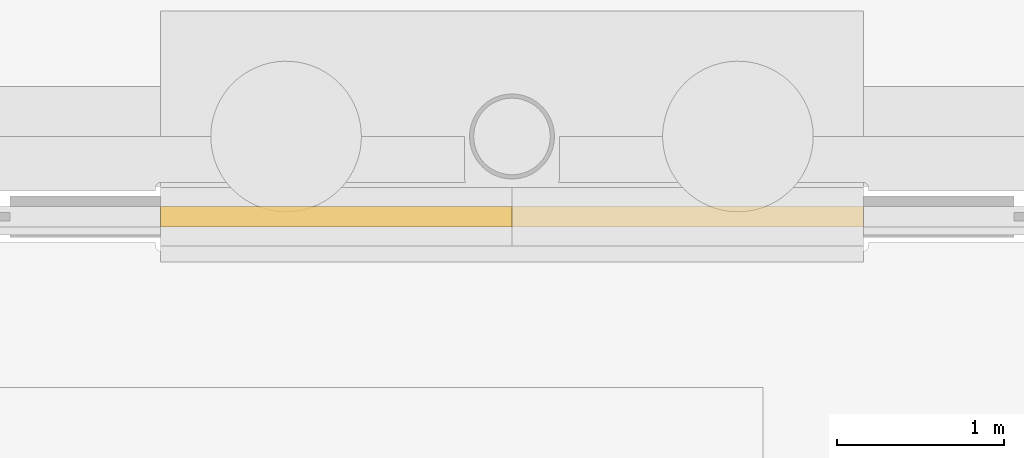
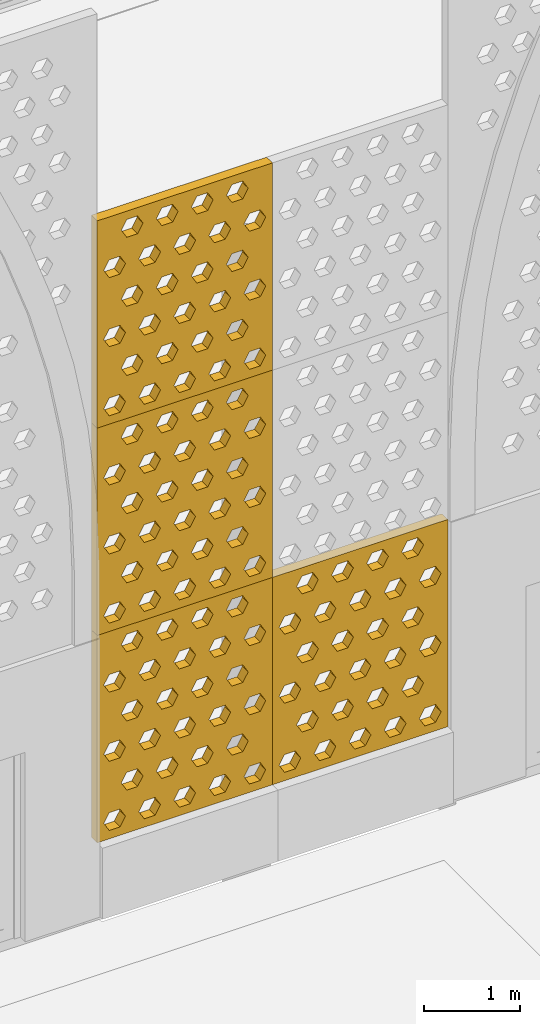
# One storey, part 190 of 250: 4 shading devices.
"""IFC4 building model written with IfcOpenShell, lengths in metres."""

from ifc_helpers import new_model, si_unit, direction, frame, origin, place, context, subcontext, project, spatial, polyline, outline, extrude, material, layer, layer_set, type_object, element, save


model = new_model("IFC4")

# Units and contexts
model_context = context("Model", 3, precision=1e-05, world=origin(), true_north=direction((0.0, 1.0)))
body_context = subcontext(model_context, "Body", "Model", "MODEL_VIEW")
ifc_project = project(units=[si_unit("LENGTHUNIT", "METRE"), si_unit("AREAUNIT", "SQUARE_METRE"), si_unit("VOLUMEUNIT", "CUBIC_METRE"), si_unit("PLANEANGLEUNIT", "RADIAN"), si_unit("MASSUNIT", "GRAM", prefix="KILO")], contexts=[model_context])

# Site, building, storey
site_placement = place(None, origin())
site = spatial("IfcSite", under=ifc_project, at=site_placement, CompositionType="ELEMENT")
building_placement = place(site_placement, origin())
building = spatial("IfcBuilding", under=site, at=building_placement, Name="Baradari Gate Terminus", CompositionType="ELEMENT")
storey_placement = place(building_placement, origin())
storey = spatial("IfcBuildingStorey", under=building, at=storey_placement, Name="L00", CompositionType="ELEMENT", Elevation=0.0)

# Shading devices
ifc_material = material(Name="Concrete C50/60 precast", Category="concrete")
ifc_layer = layer(ifc_material, 0.1201171875)
ifc_layer_set = layer_set([ifc_layer], Name="Concrete C50/60 precast")
shading_device_type = type_object("IfcShadingDeviceType", Name="Jali screen panel JS-2 120", PredefinedType="SHUTTER", material=ifc_layer_set)
shading_device_1_placement = place(storey_placement, frame((168.89990234375, 35.52001953125, 0.89990234375), z_axis=(0.0, 0.0, 1.0), x_axis=(1.0, 0.0, 0.0)))
element("IfcShadingDevice", 1, at=shading_device_1_placement, inside=storey, type_object=shading_device_type, Name="Jali screen panel JS-2 SC01c row 1 panel 1", PredefinedType="SHUTTER", context=body_context, shape_type="SweptSolid", body=[
    extrude(outline(polyline([(0.0, 0.0), (2.10009765625, 0.0), (2.10009765625, 2.625), (0.0, 2.625), (0.0, 0.0)]), holes=[polyline([(0.340087890625, 0.21875), (0.27490234375, 0.106201171875), (0.14501953125, 0.106201171875), (0.080078125, 0.21875), (0.14501953125, 0.33154296875), (0.27490234375, 0.33154296875), (0.340087890625, 0.21875)]), polyline([(0.760009765625, 0.21875), (0.695068359375, 0.106201171875), (0.56494140625, 0.106201171875), (0.5, 0.21875), (0.56494140625, 0.33154296875), (0.695068359375, 0.33154296875), (0.760009765625, 0.21875)]), polyline([(1.179931640625, 0.21875), (1.114990234375, 0.106201171875), (0.985107421875, 0.106201171875), (0.919921875, 0.21875), (0.985107421875, 0.33154296875), (1.114990234375, 0.33154296875), (1.179931640625, 0.21875)]), polyline([(1.60009765625, 0.21875), (1.534912109375, 0.106201171875), (1.405029296875, 0.106201171875), (1.340087890625, 0.21875), (1.405029296875, 0.33154296875), (1.534912109375, 0.33154296875), (1.60009765625, 0.21875)]), polyline([(2.02001953125, 0.21875), (1.955078125, 0.106201171875), (1.824951171875, 0.106201171875), (1.760009765625, 0.21875), (1.824951171875, 0.33154296875), (1.955078125, 0.33154296875), (2.02001953125, 0.21875)]), polyline([(0.550048828125, 0.65625), (0.485107421875, 0.543701171875), (0.35498046875, 0.543701171875), (0.2900390625, 0.65625), (0.35498046875, 0.76904296875), (0.485107421875, 0.76904296875), (0.550048828125, 0.65625)]), polyline([(0.969970703125, 0.65625), (0.905029296875, 0.543701171875), (0.77490234375, 0.543701171875), (0.7099609375, 0.65625), (0.77490234375, 0.76904296875), (0.905029296875, 0.76904296875), (0.969970703125, 0.65625)]), polyline([(1.389892578125, 0.65625), (1.324951171875, 0.543701171875), (1.195068359375, 0.543701171875), (1.1298828125, 0.65625), (1.195068359375, 0.76904296875), (1.324951171875, 0.76904296875), (1.389892578125, 0.65625)]), polyline([(1.81005859375, 0.65625), (1.7451171875, 0.543701171875), (1.614990234375, 0.543701171875), (1.550048828125, 0.65625), (1.614990234375, 0.76904296875), (1.7451171875, 0.76904296875), (1.81005859375, 0.65625)]), polyline([(0.340087890625, 1.09375), (0.27490234375, 0.981201171875), (0.14501953125, 0.981201171875), (0.080078125, 1.09375), (0.14501953125, 1.20654296875), (0.27490234375, 1.20654296875), (0.340087890625, 1.09375)]), polyline([(0.760009765625, 1.09375), (0.695068359375, 0.981201171875), (0.56494140625, 0.981201171875), (0.5, 1.09375), (0.56494140625, 1.20654296875), (0.695068359375, 1.20654296875), (0.760009765625, 1.09375)]), polyline([(1.179931640625, 1.09375), (1.114990234375, 0.981201171875), (0.985107421875, 0.981201171875), (0.919921875, 1.09375), (0.985107421875, 1.20654296875), (1.114990234375, 1.20654296875), (1.179931640625, 1.09375)]), polyline([(1.60009765625, 1.09375), (1.534912109375, 0.981201171875), (1.405029296875, 0.981201171875), (1.340087890625, 1.09375), (1.405029296875, 1.20654296875), (1.534912109375, 1.20654296875), (1.60009765625, 1.09375)]), polyline([(2.02001953125, 1.09375), (1.955078125, 0.981201171875), (1.824951171875, 0.981201171875), (1.760009765625, 1.09375), (1.824951171875, 1.20654296875), (1.955078125, 1.20654296875), (2.02001953125, 1.09375)]), polyline([(0.550048828125, 1.53125), (0.485107421875, 1.418701171875), (0.35498046875, 1.418701171875), (0.2900390625, 1.53125), (0.35498046875, 1.64404296875), (0.485107421875, 1.64404296875), (0.550048828125, 1.53125)]), polyline([(0.969970703125, 1.53125), (0.905029296875, 1.418701171875), (0.77490234375, 1.418701171875), (0.7099609375, 1.53125), (0.77490234375, 1.64404296875), (0.905029296875, 1.64404296875), (0.969970703125, 1.53125)]), polyline([(1.389892578125, 1.53125), (1.324951171875, 1.418701171875), (1.195068359375, 1.418701171875), (1.1298828125, 1.53125), (1.195068359375, 1.64404296875), (1.324951171875, 1.64404296875), (1.389892578125, 1.53125)]), polyline([(1.81005859375, 1.53125), (1.7451171875, 1.418701171875), (1.614990234375, 1.418701171875), (1.550048828125, 1.53125), (1.614990234375, 1.64404296875), (1.7451171875, 1.64404296875), (1.81005859375, 1.53125)]), polyline([(0.340087890625, 1.96875), (0.27490234375, 1.856201171875), (0.14501953125, 1.856201171875), (0.080078125, 1.96875), (0.14501953125, 2.08154296875), (0.27490234375, 2.08154296875), (0.340087890625, 1.96875)]), polyline([(0.760009765625, 1.96875), (0.695068359375, 1.856201171875), (0.56494140625, 1.856201171875), (0.5, 1.96875), (0.56494140625, 2.08154296875), (0.695068359375, 2.08154296875), (0.760009765625, 1.96875)]), polyline([(1.179931640625, 1.96875), (1.114990234375, 1.856201171875), (0.985107421875, 1.856201171875), (0.919921875, 1.96875), (0.985107421875, 2.08154296875), (1.114990234375, 2.08154296875), (1.179931640625, 1.96875)]), polyline([(1.60009765625, 1.96875), (1.534912109375, 1.856201171875), (1.405029296875, 1.856201171875), (1.340087890625, 1.96875), (1.405029296875, 2.08154296875), (1.534912109375, 2.08154296875), (1.60009765625, 1.96875)]), polyline([(2.02001953125, 1.96875), (1.955078125, 1.856201171875), (1.824951171875, 1.856201171875), (1.760009765625, 1.96875), (1.824951171875, 2.08154296875), (1.955078125, 2.08154296875), (2.02001953125, 1.96875)]), polyline([(0.550048828125, 2.40625), (0.485107421875, 2.293701171875), (0.35498046875, 2.293701171875), (0.2900390625, 2.40625), (0.35498046875, 2.51904296875), (0.485107421875, 2.51904296875), (0.550048828125, 2.40625)]), polyline([(0.969970703125, 2.40625), (0.905029296875, 2.293701171875), (0.77490234375, 2.293701171875), (0.7099609375, 2.40625), (0.77490234375, 2.51904296875), (0.905029296875, 2.51904296875), (0.969970703125, 2.40625)]), polyline([(1.389892578125, 2.40625), (1.324951171875, 2.293701171875), (1.195068359375, 2.293701171875), (1.1298828125, 2.40625), (1.195068359375, 2.51904296875), (1.324951171875, 2.51904296875), (1.389892578125, 2.40625)]), polyline([(1.81005859375, 2.40625), (1.7451171875, 2.293701171875), (1.614990234375, 2.293701171875), (1.550048828125, 2.40625), (1.614990234375, 2.51904296875), (1.7451171875, 2.51904296875), (1.81005859375, 2.40625)])]), frame((0.0, 0.06005859375, 0.0), z_axis=(0.0, -1.0, 0.0), x_axis=(1.0, 0.0, 0.0)), (0.0, 0.0, 1.0), 0.1201171875),
])
shading_device_2_placement = place(storey_placement, frame((168.89990234375, 35.52001953125, 3.52490234375), z_axis=(0.0, 0.0, 1.0), x_axis=(1.0, 0.0, 0.0)))
element("IfcShadingDevice", 2, at=shading_device_2_placement, inside=storey, type_object=shading_device_type, Name="Jali screen panel JS-2 SC01c row 2 panel 1", PredefinedType="SHUTTER", context=body_context, shape_type="SweptSolid", body=[
    extrude(outline(polyline([(0.0, 0.0), (2.10009765625, 0.0), (2.10009765625, 2.625), (0.0, 2.625), (0.0, 0.0)]), holes=[polyline([(0.340087890625, 0.21875), (0.27490234375, 0.106201171875), (0.14501953125, 0.106201171875), (0.080078125, 0.21875), (0.14501953125, 0.33154296875), (0.27490234375, 0.33154296875), (0.340087890625, 0.21875)]), polyline([(0.760009765625, 0.21875), (0.695068359375, 0.106201171875), (0.56494140625, 0.106201171875), (0.5, 0.21875), (0.56494140625, 0.33154296875), (0.695068359375, 0.33154296875), (0.760009765625, 0.21875)]), polyline([(1.179931640625, 0.21875), (1.114990234375, 0.106201171875), (0.985107421875, 0.106201171875), (0.919921875, 0.21875), (0.985107421875, 0.33154296875), (1.114990234375, 0.33154296875), (1.179931640625, 0.21875)]), polyline([(1.60009765625, 0.21875), (1.534912109375, 0.106201171875), (1.405029296875, 0.106201171875), (1.340087890625, 0.21875), (1.405029296875, 0.33154296875), (1.534912109375, 0.33154296875), (1.60009765625, 0.21875)]), polyline([(2.02001953125, 0.21875), (1.955078125, 0.106201171875), (1.824951171875, 0.106201171875), (1.760009765625, 0.21875), (1.824951171875, 0.33154296875), (1.955078125, 0.33154296875), (2.02001953125, 0.21875)]), polyline([(0.550048828125, 0.65625), (0.485107421875, 0.543701171875), (0.35498046875, 0.543701171875), (0.2900390625, 0.65625), (0.35498046875, 0.76904296875), (0.485107421875, 0.76904296875), (0.550048828125, 0.65625)]), polyline([(0.969970703125, 0.65625), (0.905029296875, 0.543701171875), (0.77490234375, 0.543701171875), (0.7099609375, 0.65625), (0.77490234375, 0.76904296875), (0.905029296875, 0.76904296875), (0.969970703125, 0.65625)]), polyline([(1.389892578125, 0.65625), (1.324951171875, 0.543701171875), (1.195068359375, 0.543701171875), (1.1298828125, 0.65625), (1.195068359375, 0.76904296875), (1.324951171875, 0.76904296875), (1.389892578125, 0.65625)]), polyline([(1.81005859375, 0.65625), (1.7451171875, 0.543701171875), (1.614990234375, 0.543701171875), (1.550048828125, 0.65625), (1.614990234375, 0.76904296875), (1.7451171875, 0.76904296875), (1.81005859375, 0.65625)]), polyline([(0.340087890625, 1.09375), (0.27490234375, 0.981201171875), (0.14501953125, 0.981201171875), (0.080078125, 1.09375), (0.14501953125, 1.20654296875), (0.27490234375, 1.20654296875), (0.340087890625, 1.09375)]), polyline([(0.760009765625, 1.09375), (0.695068359375, 0.981201171875), (0.56494140625, 0.981201171875), (0.5, 1.09375), (0.56494140625, 1.20654296875), (0.695068359375, 1.20654296875), (0.760009765625, 1.09375)]), polyline([(1.179931640625, 1.09375), (1.114990234375, 0.981201171875), (0.985107421875, 0.981201171875), (0.919921875, 1.09375), (0.985107421875, 1.20654296875), (1.114990234375, 1.20654296875), (1.179931640625, 1.09375)]), polyline([(1.60009765625, 1.09375), (1.534912109375, 0.981201171875), (1.405029296875, 0.981201171875), (1.340087890625, 1.09375), (1.405029296875, 1.20654296875), (1.534912109375, 1.20654296875), (1.60009765625, 1.09375)]), polyline([(2.02001953125, 1.09375), (1.955078125, 0.981201171875), (1.824951171875, 0.981201171875), (1.760009765625, 1.09375), (1.824951171875, 1.20654296875), (1.955078125, 1.20654296875), (2.02001953125, 1.09375)]), polyline([(0.550048828125, 1.53125), (0.485107421875, 1.418701171875), (0.35498046875, 1.418701171875), (0.2900390625, 1.53125), (0.35498046875, 1.64404296875), (0.485107421875, 1.64404296875), (0.550048828125, 1.53125)]), polyline([(0.969970703125, 1.53125), (0.905029296875, 1.418701171875), (0.77490234375, 1.418701171875), (0.7099609375, 1.53125), (0.77490234375, 1.64404296875), (0.905029296875, 1.64404296875), (0.969970703125, 1.53125)]), polyline([(1.389892578125, 1.53125), (1.324951171875, 1.418701171875), (1.195068359375, 1.418701171875), (1.1298828125, 1.53125), (1.195068359375, 1.64404296875), (1.324951171875, 1.64404296875), (1.389892578125, 1.53125)]), polyline([(1.81005859375, 1.53125), (1.7451171875, 1.418701171875), (1.614990234375, 1.418701171875), (1.550048828125, 1.53125), (1.614990234375, 1.64404296875), (1.7451171875, 1.64404296875), (1.81005859375, 1.53125)]), polyline([(0.340087890625, 1.96875), (0.27490234375, 1.856201171875), (0.14501953125, 1.856201171875), (0.080078125, 1.96875), (0.14501953125, 2.08154296875), (0.27490234375, 2.08154296875), (0.340087890625, 1.96875)]), polyline([(0.760009765625, 1.96875), (0.695068359375, 1.856201171875), (0.56494140625, 1.856201171875), (0.5, 1.96875), (0.56494140625, 2.08154296875), (0.695068359375, 2.08154296875), (0.760009765625, 1.96875)]), polyline([(1.179931640625, 1.96875), (1.114990234375, 1.856201171875), (0.985107421875, 1.856201171875), (0.919921875, 1.96875), (0.985107421875, 2.08154296875), (1.114990234375, 2.08154296875), (1.179931640625, 1.96875)]), polyline([(1.60009765625, 1.96875), (1.534912109375, 1.856201171875), (1.405029296875, 1.856201171875), (1.340087890625, 1.96875), (1.405029296875, 2.08154296875), (1.534912109375, 2.08154296875), (1.60009765625, 1.96875)]), polyline([(2.02001953125, 1.96875), (1.955078125, 1.856201171875), (1.824951171875, 1.856201171875), (1.760009765625, 1.96875), (1.824951171875, 2.08154296875), (1.955078125, 2.08154296875), (2.02001953125, 1.96875)]), polyline([(0.550048828125, 2.40625), (0.485107421875, 2.293701171875), (0.35498046875, 2.293701171875), (0.2900390625, 2.40625), (0.35498046875, 2.51904296875), (0.485107421875, 2.51904296875), (0.550048828125, 2.40625)]), polyline([(0.969970703125, 2.40625), (0.905029296875, 2.293701171875), (0.77490234375, 2.293701171875), (0.7099609375, 2.40625), (0.77490234375, 2.51904296875), (0.905029296875, 2.51904296875), (0.969970703125, 2.40625)]), polyline([(1.389892578125, 2.40625), (1.324951171875, 2.293701171875), (1.195068359375, 2.293701171875), (1.1298828125, 2.40625), (1.195068359375, 2.51904296875), (1.324951171875, 2.51904296875), (1.389892578125, 2.40625)]), polyline([(1.81005859375, 2.40625), (1.7451171875, 2.293701171875), (1.614990234375, 2.293701171875), (1.550048828125, 2.40625), (1.614990234375, 2.51904296875), (1.7451171875, 2.51904296875), (1.81005859375, 2.40625)])]), frame((0.0, 0.06005859375, 0.0), z_axis=(0.0, -1.0, 0.0), x_axis=(1.0, 0.0, 0.0)), (0.0, 0.0, 1.0), 0.1201171875),
])
shading_device_3_placement = place(storey_placement, frame((168.89990234375, 35.52001953125, 6.14990234375), z_axis=(0.0, 0.0, 1.0), x_axis=(1.0, 0.0, 0.0)))
element("IfcShadingDevice", 3, at=shading_device_3_placement, inside=storey, type_object=shading_device_type, Name="Jali screen panel JS-2 SC01c row 3 panel 1", PredefinedType="SHUTTER", context=body_context, shape_type="SweptSolid", body=[
    extrude(outline(polyline([(0.0, 0.0), (2.10009765625, 0.0), (2.10009765625, 2.625), (0.0, 2.625), (0.0, 0.0)]), holes=[polyline([(0.340087890625, 0.21875), (0.27490234375, 0.106201171875), (0.14501953125, 0.106201171875), (0.080078125, 0.21875), (0.14501953125, 0.33154296875), (0.27490234375, 0.33154296875), (0.340087890625, 0.21875)]), polyline([(0.760009765625, 0.21875), (0.695068359375, 0.106201171875), (0.56494140625, 0.106201171875), (0.5, 0.21875), (0.56494140625, 0.33154296875), (0.695068359375, 0.33154296875), (0.760009765625, 0.21875)]), polyline([(1.179931640625, 0.21875), (1.114990234375, 0.106201171875), (0.985107421875, 0.106201171875), (0.919921875, 0.21875), (0.985107421875, 0.33154296875), (1.114990234375, 0.33154296875), (1.179931640625, 0.21875)]), polyline([(1.60009765625, 0.21875), (1.534912109375, 0.106201171875), (1.405029296875, 0.106201171875), (1.340087890625, 0.21875), (1.405029296875, 0.33154296875), (1.534912109375, 0.33154296875), (1.60009765625, 0.21875)]), polyline([(2.02001953125, 0.21875), (1.955078125, 0.106201171875), (1.824951171875, 0.106201171875), (1.760009765625, 0.21875), (1.824951171875, 0.33154296875), (1.955078125, 0.33154296875), (2.02001953125, 0.21875)]), polyline([(0.550048828125, 0.65625), (0.485107421875, 0.543701171875), (0.35498046875, 0.543701171875), (0.2900390625, 0.65625), (0.35498046875, 0.76904296875), (0.485107421875, 0.76904296875), (0.550048828125, 0.65625)]), polyline([(0.969970703125, 0.65625), (0.905029296875, 0.543701171875), (0.77490234375, 0.543701171875), (0.7099609375, 0.65625), (0.77490234375, 0.76904296875), (0.905029296875, 0.76904296875), (0.969970703125, 0.65625)]), polyline([(1.389892578125, 0.65625), (1.324951171875, 0.543701171875), (1.195068359375, 0.543701171875), (1.1298828125, 0.65625), (1.195068359375, 0.76904296875), (1.324951171875, 0.76904296875), (1.389892578125, 0.65625)]), polyline([(1.81005859375, 0.65625), (1.7451171875, 0.543701171875), (1.614990234375, 0.543701171875), (1.550048828125, 0.65625), (1.614990234375, 0.76904296875), (1.7451171875, 0.76904296875), (1.81005859375, 0.65625)]), polyline([(0.340087890625, 1.09375), (0.27490234375, 0.981201171875), (0.14501953125, 0.981201171875), (0.080078125, 1.09375), (0.14501953125, 1.20654296875), (0.27490234375, 1.20654296875), (0.340087890625, 1.09375)]), polyline([(0.760009765625, 1.09375), (0.695068359375, 0.981201171875), (0.56494140625, 0.981201171875), (0.5, 1.09375), (0.56494140625, 1.20654296875), (0.695068359375, 1.20654296875), (0.760009765625, 1.09375)]), polyline([(1.179931640625, 1.09375), (1.114990234375, 0.981201171875), (0.985107421875, 0.981201171875), (0.919921875, 1.09375), (0.985107421875, 1.20654296875), (1.114990234375, 1.20654296875), (1.179931640625, 1.09375)]), polyline([(1.60009765625, 1.09375), (1.534912109375, 0.981201171875), (1.405029296875, 0.981201171875), (1.340087890625, 1.09375), (1.405029296875, 1.20654296875), (1.534912109375, 1.20654296875), (1.60009765625, 1.09375)]), polyline([(2.02001953125, 1.09375), (1.955078125, 0.981201171875), (1.824951171875, 0.981201171875), (1.760009765625, 1.09375), (1.824951171875, 1.20654296875), (1.955078125, 1.20654296875), (2.02001953125, 1.09375)]), polyline([(0.550048828125, 1.53125), (0.485107421875, 1.418701171875), (0.35498046875, 1.418701171875), (0.2900390625, 1.53125), (0.35498046875, 1.64404296875), (0.485107421875, 1.64404296875), (0.550048828125, 1.53125)]), polyline([(0.969970703125, 1.53125), (0.905029296875, 1.418701171875), (0.77490234375, 1.418701171875), (0.7099609375, 1.53125), (0.77490234375, 1.64404296875), (0.905029296875, 1.64404296875), (0.969970703125, 1.53125)]), polyline([(1.389892578125, 1.53125), (1.324951171875, 1.418701171875), (1.195068359375, 1.418701171875), (1.1298828125, 1.53125), (1.195068359375, 1.64404296875), (1.324951171875, 1.64404296875), (1.389892578125, 1.53125)]), polyline([(1.81005859375, 1.53125), (1.7451171875, 1.418701171875), (1.614990234375, 1.418701171875), (1.550048828125, 1.53125), (1.614990234375, 1.64404296875), (1.7451171875, 1.64404296875), (1.81005859375, 1.53125)]), polyline([(0.340087890625, 1.96875), (0.27490234375, 1.856201171875), (0.14501953125, 1.856201171875), (0.080078125, 1.96875), (0.14501953125, 2.08154296875), (0.27490234375, 2.08154296875), (0.340087890625, 1.96875)]), polyline([(0.760009765625, 1.96875), (0.695068359375, 1.856201171875), (0.56494140625, 1.856201171875), (0.5, 1.96875), (0.56494140625, 2.08154296875), (0.695068359375, 2.08154296875), (0.760009765625, 1.96875)]), polyline([(1.179931640625, 1.96875), (1.114990234375, 1.856201171875), (0.985107421875, 1.856201171875), (0.919921875, 1.96875), (0.985107421875, 2.08154296875), (1.114990234375, 2.08154296875), (1.179931640625, 1.96875)]), polyline([(1.60009765625, 1.96875), (1.534912109375, 1.856201171875), (1.405029296875, 1.856201171875), (1.340087890625, 1.96875), (1.405029296875, 2.08154296875), (1.534912109375, 2.08154296875), (1.60009765625, 1.96875)]), polyline([(2.02001953125, 1.96875), (1.955078125, 1.856201171875), (1.824951171875, 1.856201171875), (1.760009765625, 1.96875), (1.824951171875, 2.08154296875), (1.955078125, 2.08154296875), (2.02001953125, 1.96875)]), polyline([(0.550048828125, 2.40625), (0.485107421875, 2.293701171875), (0.35498046875, 2.293701171875), (0.2900390625, 2.40625), (0.35498046875, 2.51904296875), (0.485107421875, 2.51904296875), (0.550048828125, 2.40625)]), polyline([(0.969970703125, 2.40625), (0.905029296875, 2.293701171875), (0.77490234375, 2.293701171875), (0.7099609375, 2.40625), (0.77490234375, 2.51904296875), (0.905029296875, 2.51904296875), (0.969970703125, 2.40625)]), polyline([(1.389892578125, 2.40625), (1.324951171875, 2.293701171875), (1.195068359375, 2.293701171875), (1.1298828125, 2.40625), (1.195068359375, 2.51904296875), (1.324951171875, 2.51904296875), (1.389892578125, 2.40625)]), polyline([(1.81005859375, 2.40625), (1.7451171875, 2.293701171875), (1.614990234375, 2.293701171875), (1.550048828125, 2.40625), (1.614990234375, 2.51904296875), (1.7451171875, 2.51904296875), (1.81005859375, 2.40625)])]), frame((0.0, 0.06005859375, 0.0), z_axis=(0.0, -1.0, 0.0), x_axis=(1.0, 0.0, 0.0)), (0.0, 0.0, 1.0), 0.1201171875),
])
shading_device_4_placement = place(storey_placement, frame((171.0, 35.52001953125, 0.89990234375), z_axis=(0.0, 0.0, 1.0), x_axis=(1.0, 0.0, 0.0)))
element("IfcShadingDevice", 4, at=shading_device_4_placement, inside=storey, type_object=shading_device_type, Name="Jali screen panel JS-2 SC02a row 1 panel 1", PredefinedType="SHUTTER", context=body_context, shape_type="SweptSolid", body=[
    extrude(outline(polyline([(0.0, 0.0), (2.10009765625, 0.0), (2.10009765625, 2.625), (0.0, 2.625), (0.0, 0.0)]), holes=[polyline([(0.340087890625, 0.21875), (0.27490234375, 0.106201171875), (0.14501953125, 0.106201171875), (0.080078125, 0.21875), (0.14501953125, 0.33154296875), (0.27490234375, 0.33154296875), (0.340087890625, 0.21875)]), polyline([(0.760009765625, 0.21875), (0.695068359375, 0.106201171875), (0.56494140625, 0.106201171875), (0.5, 0.21875), (0.56494140625, 0.33154296875), (0.695068359375, 0.33154296875), (0.760009765625, 0.21875)]), polyline([(1.179931640625, 0.21875), (1.114990234375, 0.106201171875), (0.985107421875, 0.106201171875), (0.919921875, 0.21875), (0.985107421875, 0.33154296875), (1.114990234375, 0.33154296875), (1.179931640625, 0.21875)]), polyline([(1.60009765625, 0.21875), (1.534912109375, 0.106201171875), (1.405029296875, 0.106201171875), (1.340087890625, 0.21875), (1.405029296875, 0.33154296875), (1.534912109375, 0.33154296875), (1.60009765625, 0.21875)]), polyline([(2.02001953125, 0.21875), (1.955078125, 0.106201171875), (1.824951171875, 0.106201171875), (1.760009765625, 0.21875), (1.824951171875, 0.33154296875), (1.955078125, 0.33154296875), (2.02001953125, 0.21875)]), polyline([(0.550048828125, 0.65625), (0.485107421875, 0.543701171875), (0.35498046875, 0.543701171875), (0.2900390625, 0.65625), (0.35498046875, 0.76904296875), (0.485107421875, 0.76904296875), (0.550048828125, 0.65625)]), polyline([(0.969970703125, 0.65625), (0.905029296875, 0.543701171875), (0.77490234375, 0.543701171875), (0.7099609375, 0.65625), (0.77490234375, 0.76904296875), (0.905029296875, 0.76904296875), (0.969970703125, 0.65625)]), polyline([(1.389892578125, 0.65625), (1.324951171875, 0.543701171875), (1.195068359375, 0.543701171875), (1.1298828125, 0.65625), (1.195068359375, 0.76904296875), (1.324951171875, 0.76904296875), (1.389892578125, 0.65625)]), polyline([(1.81005859375, 0.65625), (1.7451171875, 0.543701171875), (1.614990234375, 0.543701171875), (1.550048828125, 0.65625), (1.614990234375, 0.76904296875), (1.7451171875, 0.76904296875), (1.81005859375, 0.65625)]), polyline([(0.340087890625, 1.09375), (0.27490234375, 0.981201171875), (0.14501953125, 0.981201171875), (0.080078125, 1.09375), (0.14501953125, 1.20654296875), (0.27490234375, 1.20654296875), (0.340087890625, 1.09375)]), polyline([(0.760009765625, 1.09375), (0.695068359375, 0.981201171875), (0.56494140625, 0.981201171875), (0.5, 1.09375), (0.56494140625, 1.20654296875), (0.695068359375, 1.20654296875), (0.760009765625, 1.09375)]), polyline([(1.179931640625, 1.09375), (1.114990234375, 0.981201171875), (0.985107421875, 0.981201171875), (0.919921875, 1.09375), (0.985107421875, 1.20654296875), (1.114990234375, 1.20654296875), (1.179931640625, 1.09375)]), polyline([(1.60009765625, 1.09375), (1.534912109375, 0.981201171875), (1.405029296875, 0.981201171875), (1.340087890625, 1.09375), (1.405029296875, 1.20654296875), (1.534912109375, 1.20654296875), (1.60009765625, 1.09375)]), polyline([(2.02001953125, 1.09375), (1.955078125, 0.981201171875), (1.824951171875, 0.981201171875), (1.760009765625, 1.09375), (1.824951171875, 1.20654296875), (1.955078125, 1.20654296875), (2.02001953125, 1.09375)]), polyline([(0.550048828125, 1.53125), (0.485107421875, 1.418701171875), (0.35498046875, 1.418701171875), (0.2900390625, 1.53125), (0.35498046875, 1.64404296875), (0.485107421875, 1.64404296875), (0.550048828125, 1.53125)]), polyline([(0.969970703125, 1.53125), (0.905029296875, 1.418701171875), (0.77490234375, 1.418701171875), (0.7099609375, 1.53125), (0.77490234375, 1.64404296875), (0.905029296875, 1.64404296875), (0.969970703125, 1.53125)]), polyline([(1.389892578125, 1.53125), (1.324951171875, 1.418701171875), (1.195068359375, 1.418701171875), (1.1298828125, 1.53125), (1.195068359375, 1.64404296875), (1.324951171875, 1.64404296875), (1.389892578125, 1.53125)]), polyline([(1.81005859375, 1.53125), (1.7451171875, 1.418701171875), (1.614990234375, 1.418701171875), (1.550048828125, 1.53125), (1.614990234375, 1.64404296875), (1.7451171875, 1.64404296875), (1.81005859375, 1.53125)]), polyline([(0.340087890625, 1.96875), (0.27490234375, 1.856201171875), (0.14501953125, 1.856201171875), (0.080078125, 1.96875), (0.14501953125, 2.08154296875), (0.27490234375, 2.08154296875), (0.340087890625, 1.96875)]), polyline([(0.760009765625, 1.96875), (0.695068359375, 1.856201171875), (0.56494140625, 1.856201171875), (0.5, 1.96875), (0.56494140625, 2.08154296875), (0.695068359375, 2.08154296875), (0.760009765625, 1.96875)]), polyline([(1.179931640625, 1.96875), (1.114990234375, 1.856201171875), (0.985107421875, 1.856201171875), (0.919921875, 1.96875), (0.985107421875, 2.08154296875), (1.114990234375, 2.08154296875), (1.179931640625, 1.96875)]), polyline([(1.60009765625, 1.96875), (1.534912109375, 1.856201171875), (1.405029296875, 1.856201171875), (1.340087890625, 1.96875), (1.405029296875, 2.08154296875), (1.534912109375, 2.08154296875), (1.60009765625, 1.96875)]), polyline([(2.02001953125, 1.96875), (1.955078125, 1.856201171875), (1.824951171875, 1.856201171875), (1.760009765625, 1.96875), (1.824951171875, 2.08154296875), (1.955078125, 2.08154296875), (2.02001953125, 1.96875)]), polyline([(0.550048828125, 2.40625), (0.485107421875, 2.293701171875), (0.35498046875, 2.293701171875), (0.2900390625, 2.40625), (0.35498046875, 2.51904296875), (0.485107421875, 2.51904296875), (0.550048828125, 2.40625)]), polyline([(0.969970703125, 2.40625), (0.905029296875, 2.293701171875), (0.77490234375, 2.293701171875), (0.7099609375, 2.40625), (0.77490234375, 2.51904296875), (0.905029296875, 2.51904296875), (0.969970703125, 2.40625)]), polyline([(1.389892578125, 2.40625), (1.324951171875, 2.293701171875), (1.195068359375, 2.293701171875), (1.1298828125, 2.40625), (1.195068359375, 2.51904296875), (1.324951171875, 2.51904296875), (1.389892578125, 2.40625)]), polyline([(1.81005859375, 2.40625), (1.7451171875, 2.293701171875), (1.614990234375, 2.293701171875), (1.550048828125, 2.40625), (1.614990234375, 2.51904296875), (1.7451171875, 2.51904296875), (1.81005859375, 2.40625)])]), frame((0.0, 0.06005859375, 0.0), z_axis=(0.0, -1.0, 0.0), x_axis=(1.0, 0.0, 0.0)), (0.0, 0.0, 1.0), 0.1201171875),
])

save(model, "model.ifc")
